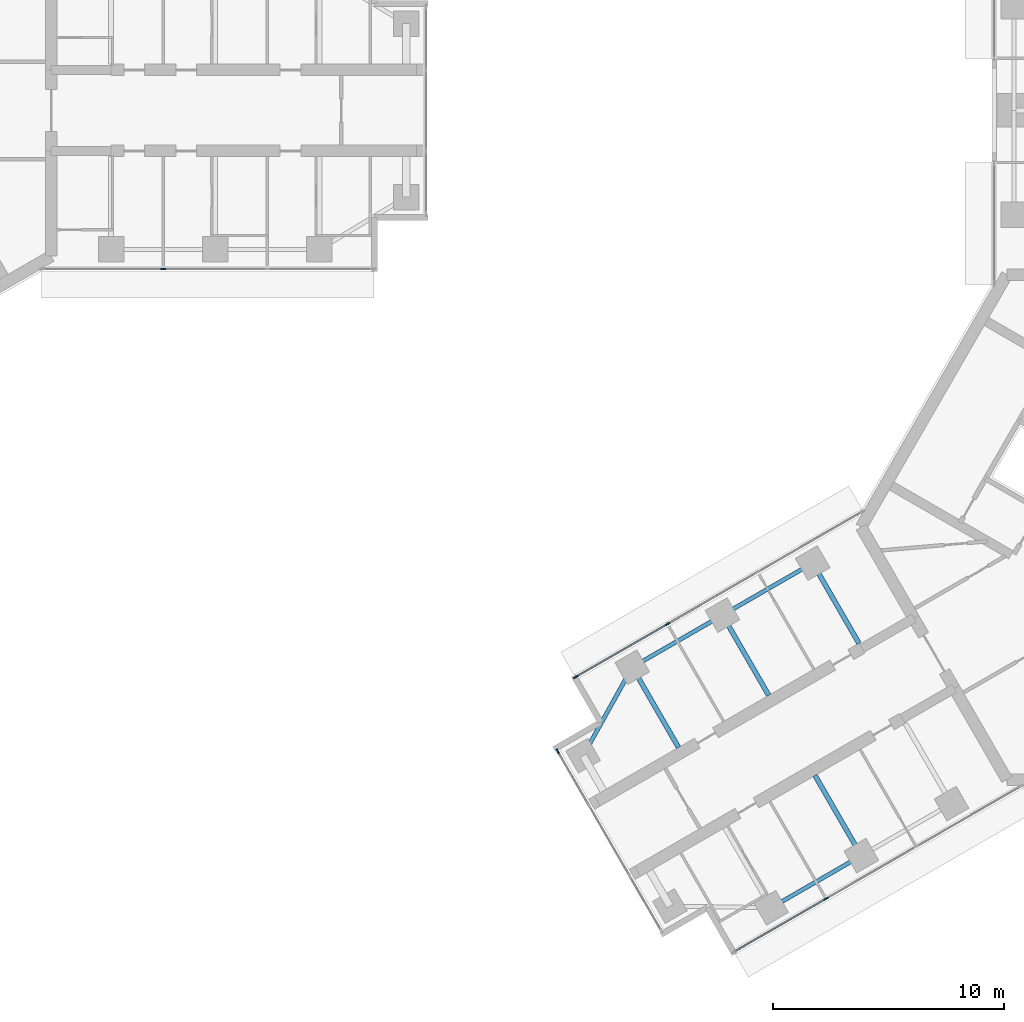
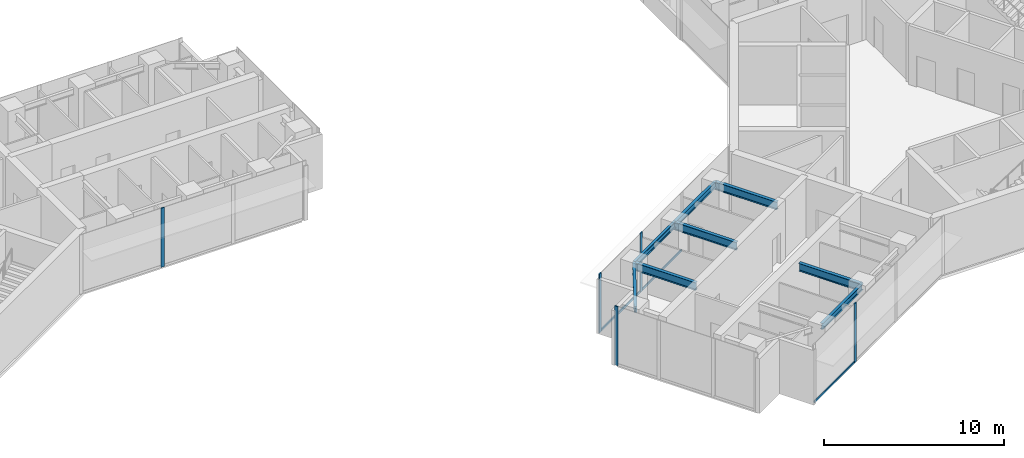
# One storey, part 3 of 17: 8 beams, 8 members, 4 elements without a shape of their own.
"""IFC4 building model written with IfcOpenShell, lengths in metres."""

from ifc_helpers import new_model, si_unit, direction, frame, origin, origin_2d, place, context, subcontext, project, spatial, rectangle, i_section, extrude, material, material_profile, profile_set, type_object, element, aggregate, save


model = new_model("IFC4")

# Units and contexts
model_context = context("Model", 3, precision=1e-05, world=origin(), true_north=direction((0.0, 1.0)))
body_context = subcontext(model_context, "Body", "Model", "MODEL_VIEW")
ifc_project = project(units=[si_unit("LENGTHUNIT", "METRE"), si_unit("AREAUNIT", "SQUARE_METRE"), si_unit("VOLUMEUNIT", "CUBIC_METRE"), si_unit("PLANEANGLEUNIT", "RADIAN"), si_unit("MASSUNIT", "GRAM", prefix="KILO")], contexts=[model_context])

# Site, building, storey
site_placement = place(None, origin())
site = spatial("IfcSite", under=ifc_project, at=site_placement, CompositionType="ELEMENT")
building_placement = place(site_placement, origin())
building = spatial("IfcBuilding", under=site, at=building_placement, Name="Upepo Twin Towers", CompositionType="ELEMENT")
storey_placement = place(building_placement, frame((0.0, 0.0, 234.5)))
storey = spatial("IfcBuildingStorey", under=building, at=storey_placement, Name="L57", CompositionType="ELEMENT", Elevation=234.5)

# Beams
ifc_material_1 = material(Name="Steel S355", Category="steel")
ifc_material_profile_1 = material_profile(ifc_material_1, i_section(OverallWidth=0.177978515625, OverallDepth=0.406494140625, WebThickness=0.0078125, FlangeThickness=0.0126953125, FilletRadius=0.01025390625, at=origin_2d()), Name="UB 406x178x60")
ifc_profile_set_1 = profile_set([ifc_material_profile_1], Name="Steel S355")
beam_type_1 = type_object("IfcBeamType", Name="Beam UB 406x178x60", PredefinedType="BEAM", material=ifc_profile_set_1)
beam_1_placement = place(storey_placement, frame((45.91162109375, -32.196044921875, 3.496826171875), z_axis=(-0.866031096941, -0.499990139034, 0.0), x_axis=(0.499990139034, -0.866031096941, 0.0)))
element("IfcBeam", 1, at=beam_1_placement, inside=storey, type_object=beam_type_1, Name="T2 edge beam BL 18.0-22.5", PredefinedType="BEAM", context=body_context, shape_type="SweptSolid", body=[
    extrude(i_section(OverallWidth=0.177978515625, OverallDepth=0.406494140625, WebThickness=0.0078125, FlangeThickness=0.0126953125, FilletRadius=0.01025390625, at=origin_2d()), origin(), (0.0, 0.0, 1.0), 4.5),
])
beam_2_placement = place(storey_placement, frame((43.80859375, -19.553955078125, 3.496826171875), z_axis=(-0.866017533419, -0.500013631625, 0.0), x_axis=(0.500013631625, -0.866017533419, 0.0)))
element("IfcBeam", 2, at=beam_2_placement, inside=storey, type_object=beam_type_1, Name="T2 edge beam BR 13.5-18.0", PredefinedType="BEAM", context=body_context, shape_type="SweptSolid", body=[
    extrude(i_section(OverallWidth=0.177978515625, OverallDepth=0.406494140625, WebThickness=0.0078125, FlangeThickness=0.0126953125, FilletRadius=0.01025390625, at=origin_2d()), origin(), (0.0, 0.0, 1.0), 4.499755859375),
])
beam_3_placement = place(storey_placement, frame((39.91162109375, -21.803955078125, 3.496826171875), z_axis=(-0.866031096941, -0.499990139034, 0.0), x_axis=(0.499990139034, -0.866031096941, 0.0)))
element("IfcBeam", 3, at=beam_3_placement, inside=storey, type_object=beam_type_1, Name="T2 edge beam BR 18.0-22.5", PredefinedType="BEAM", context=body_context, shape_type="SweptSolid", body=[
    extrude(i_section(OverallWidth=0.177978515625, OverallDepth=0.406494140625, WebThickness=0.0078125, FlangeThickness=0.0126953125, FilletRadius=0.01025390625, at=origin_2d()), origin(), (0.0, 0.0, 1.0), 4.5),
])
beam_4_placement = place(storey_placement, frame((36.014404296875, -24.053955078125, 3.496826171875), z_axis=(-0.485363242752, -0.874312600038, 0.0), x_axis=(0.874312600038, -0.485363242752, 0.0)))
element("IfcBeam", 4, at=beam_4_placement, inside=storey, type_object=beam_type_1, Name="T2 nose edge beam BR", PredefinedType="BEAM", context=body_context, shape_type="SweptSolid", body=[
    extrude(i_section(OverallWidth=0.177978515625, OverallDepth=0.406494140625, WebThickness=0.0078125, FlangeThickness=0.0126953125, FilletRadius=0.01025390625, at=origin_2d()), origin(), (0.0, 0.0, 1.0), 4.373046875),
])
ifc_material_2 = material(Name="Steel S355", Category="steel")
ifc_material_profile_2 = material_profile(ifc_material_2, i_section(OverallWidth=0.209228515625, OverallDepth=0.533203125, WebThickness=0.010009765625, FlangeThickness=0.015625, FilletRadius=0.0126953125, at=origin_2d()), Name="UB 533x210x92")
ifc_profile_set_2 = profile_set([ifc_material_profile_2], Name="Steel S355")
beam_type_2 = type_object("IfcBeamType", Name="Beam UB 533x210x92", PredefinedType="BEAM", material=ifc_profile_set_2)
for number, where, z_axis, x_axis, name in (
    (5, (45.91162109375, -32.196044921875, 3.433349609375), (-0.49999894854, 0.866026010844, 0.0), (-0.866026010844, -0.49999894854, 0.0), "T2 girder BL at 18.0"),
    (6, (43.80859375, -19.553955078125, 3.433349609375), (0.49999894854, -0.866026010844, 0.0), (0.866026010844, 0.49999894854, 0.0), "T2 girder BR at 13.5"),
    (7, (39.91162109375, -21.803955078125, 3.433349609375), (0.49999894854, -0.866026010844, 0.0), (0.866026010844, 0.49999894854, 0.0), "T2 girder BR at 18.0"),
    (8, (36.014404296875, -24.053955078125, 3.433349609375), (0.49999894854, -0.866026010844, 0.0), (0.866026010844, 0.49999894854, 0.0), "T2 girder BR at 22.5"),
):
    element("IfcBeam", number, at=place(storey_placement, frame(where, z_axis=z_axis, x_axis=x_axis)), inside=storey, type_object=beam_type_2, Name=name, PredefinedType="BEAM", context=body_context, shape_type="SweptSolid", body=[
        extrude(i_section(OverallWidth=0.209228515625, OverallDepth=0.533203125, WebThickness=0.010009765625, FlangeThickness=0.015625, FilletRadius=0.0126953125, at=origin_2d()), origin(), (0.0, 0.0, 1.0), 4.0),
    ])

# Curtain wall, member
ifc_material_3 = material(Name="Aluminium and fritted glass", Category="aluminium")
curtain_wall_type = type_object("IfcCurtainWallType", Name="Tower curtain wall TW3, fritted glass", PredefinedType="NOTDEFINED", material=ifc_material_3)
curtain_wall_1_placement = place(storey_placement, origin())
curtain_wall_1 = element("IfcCurtainWall", 9, at=curtain_wall_1_placement, inside=storey, type_object=curtain_wall_type, Name="T1 L57 wing A flank R curtain wall", PredefinedType="NOTDEFINED")
ifc_material_4 = material(Name="Aluminium mullion", Category="aluminium")
ifc_material_profile_3 = material_profile(ifc_material_4, rectangle(XDim=0.06494140625, YDim=0.22509765625, at=origin_2d()), Name="MULLION 65x225")
ifc_profile_set_3 = profile_set([ifc_material_profile_3], Name="Aluminium mullion")
member_type_1 = type_object("IfcMemberType", Name="Mullion 65x225 TW3", PredefinedType="MULLION", material=ifc_profile_set_3)
member_1_placement = place(storey_placement, frame((15.75, -6.85009765625, 0.0), z_axis=(0.0, 0.0, 1.0), x_axis=(0.0, -1.0, 0.0)))
member_1 = element("IfcMember", 10, at=member_1_placement, type_object=member_type_1, Name="T1 L57 wing A flank R curtain wall mullion 3", PredefinedType="MULLION", context=body_context, shape_type="SweptSolid", body=[
    extrude(rectangle(XDim=0.06494140625, YDim=0.22509765625, at=origin_2d()), origin(), (0.0, 0.0, 1.0), 4.0),
])
aggregate(curtain_wall_1, [member_1])

curtain_wall_2_placement = place(storey_placement, origin())
curtain_wall_2 = element("IfcCurtainWall", 11, at=curtain_wall_2_placement, inside=storey, type_object=curtain_wall_type, Name="T2 L57 wing B flank L curtain wall", PredefinedType="NOTDEFINED")
member_2_placement = place(storey_placement, frame((44.387939453125, -34.057373046875, 0.0), z_axis=(0.0, 0.0, 1.0), x_axis=(0.500000026527, -0.866025388469, 0.0)))
member_2 = element("IfcMember", 12, at=member_2_placement, type_object=member_type_1, Name="T2 L57 wing B flank L curtain wall mullion 3", PredefinedType="MULLION", context=body_context, shape_type="SweptSolid", body=[
    extrude(rectangle(XDim=0.06494140625, YDim=0.22509765625, at=origin_2d()), origin(), (0.0, 0.0, 1.0), 4.0),
])

# Curtain wall, members
curtain_wall_3_placement = place(storey_placement, origin())
curtain_wall_3 = element("IfcCurtainWall", 13, at=curtain_wall_3_placement, inside=storey, type_object=curtain_wall_type, Name="T2 L57 wing B flank R curtain wall", PredefinedType="NOTDEFINED")
member_3_placement = place(storey_placement, frame((33.58251953125, -24.4765625, 0.0), z_axis=(0.0, 0.0, 1.0), x_axis=(-0.500000026527, 0.866025388469, 0.0)))
member_3 = element("IfcMember", 14, at=member_3_placement, type_object=member_type_1, Name="T2 L57 wing B flank R curtain wall mullion 1", PredefinedType="MULLION", context=body_context, shape_type="SweptSolid", body=[
    extrude(rectangle(XDim=0.06494140625, YDim=0.22509765625, at=origin_2d()), origin(), (0.0, 0.0, 1.0), 4.0),
])
member_4_placement = place(storey_placement, frame((37.5380859375, -22.192626953125, 0.0), z_axis=(0.0, 0.0, 1.0), x_axis=(-0.500000026527, 0.866025388469, 0.0)))
member_4 = element("IfcMember", 15, at=member_4_placement, type_object=member_type_1, Name="T2 L57 wing B flank R curtain wall mullion 2", PredefinedType="MULLION", context=body_context, shape_type="SweptSolid", body=[
    extrude(rectangle(XDim=0.06494140625, YDim=0.22509765625, at=origin_2d()), origin(), (0.0, 0.0, 1.0), 4.0),
])

# Curtain wall, member
curtain_wall_4_placement = place(storey_placement, origin())
curtain_wall_4 = element("IfcCurtainWall", 16, at=curtain_wall_4_placement, inside=storey, type_object=curtain_wall_type, Name="T2 L57 wing B nose curtain wall", PredefinedType="NOTDEFINED")
member_5_placement = place(storey_placement, frame((32.796875, -27.68115234375, 0.0), z_axis=(0.0, 0.0, 1.0), x_axis=(0.866025386174, 0.500000030502, 0.0)))
member_5 = element("IfcMember", 17, at=member_5_placement, type_object=member_type_1, Name="T2 L57 wing B nose curtain wall mullion 1", PredefinedType="MULLION", context=body_context, shape_type="SweptSolid", body=[
    extrude(rectangle(XDim=0.06494140625, YDim=0.22509765625, at=origin_2d()), origin(), (0.0, 0.0, 1.0), 4.0),
])
aggregate(curtain_wall_4, [member_5])

# Member
ifc_material_5 = material(Name="Aluminium transom", Category="aluminium")
ifc_material_profile_4 = material_profile(ifc_material_5, rectangle(XDim=0.06494140625, YDim=0.14990234375, at=origin_2d()), Name="TRANSOM 65x150")
ifc_profile_set_4 = profile_set([ifc_material_profile_4], Name="Aluminium transom")
member_type_2 = type_object("IfcMemberType", Name="Transom 65x150 TW3", PredefinedType="USERDEFINED", material=ifc_profile_set_4)
member_6_placement = place(storey_placement, frame((44.35986328125, -34.073486328125, 0.074951171875), z_axis=(-0.866035699072, -0.499982167615, 0.0), x_axis=(0.499982167615, -0.866035699072, 0.0)))
member_6 = element("IfcMember", 18, at=member_6_placement, type_object=member_type_2, Name="T2 L57 wing B flank L curtain wall transom 3", ObjectType="TRANSOM", PredefinedType="USERDEFINED", context=body_context, shape_type="SweptSolid", body=[
    extrude(rectangle(XDim=0.06494140625, YDim=0.14990234375, at=origin_2d()), origin(), (0.0, 0.0, 1.0), 4.502685546875),
])

aggregate(curtain_wall_2, [member_2, member_6])

member_7_placement = place(storey_placement, frame((33.610595703125, -24.460205078125, 0.074951171875), z_axis=(0.866022143554, 0.500005646842, 0.0), x_axis=(-0.500005646842, 0.866022143554, 0.0)))
member_7 = element("IfcMember", 19, at=member_7_placement, type_object=member_type_2, Name="T2 L57 wing B flank R curtain wall transom 1", ObjectType="TRANSOM", PredefinedType="USERDEFINED", context=body_context, shape_type="SweptSolid", body=[
    extrude(rectangle(XDim=0.06494140625, YDim=0.14990234375, at=origin_2d()), origin(), (0.0, 0.0, 1.0), 4.50244140625),
])

member_8_placement = place(storey_placement, frame((37.566162109375, -22.176513671875, 0.074951171875), z_axis=(0.866022410713, 0.500005184116, 0.0), x_axis=(-0.500005184116, 0.866022410713, 0.0)))
member_8 = element("IfcMember", 20, at=member_8_placement, type_object=member_type_2, Name="T2 L57 wing B flank R curtain wall transom 2", ObjectType="TRANSOM", PredefinedType="USERDEFINED", context=body_context, shape_type="SweptSolid", body=[
    extrude(rectangle(XDim=0.06494140625, YDim=0.14990234375, at=origin_2d()), origin(), (0.0, 0.0, 1.0), 4.43505859375),
])

aggregate(curtain_wall_3, [member_3, member_4, member_7, member_8])

save(model, "model.ifc")
